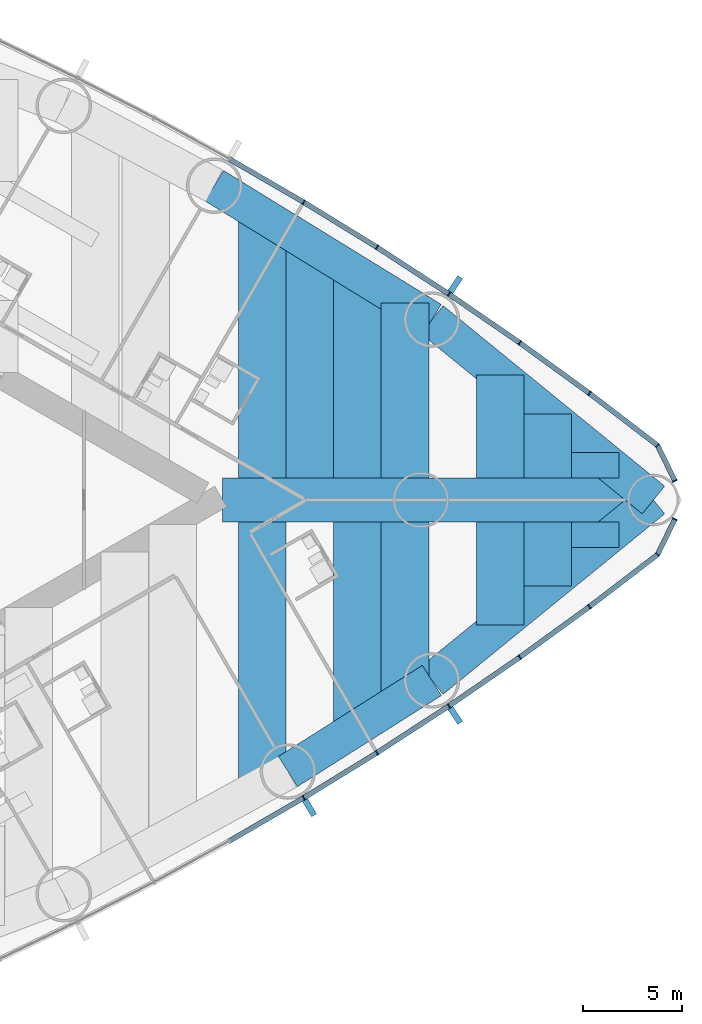
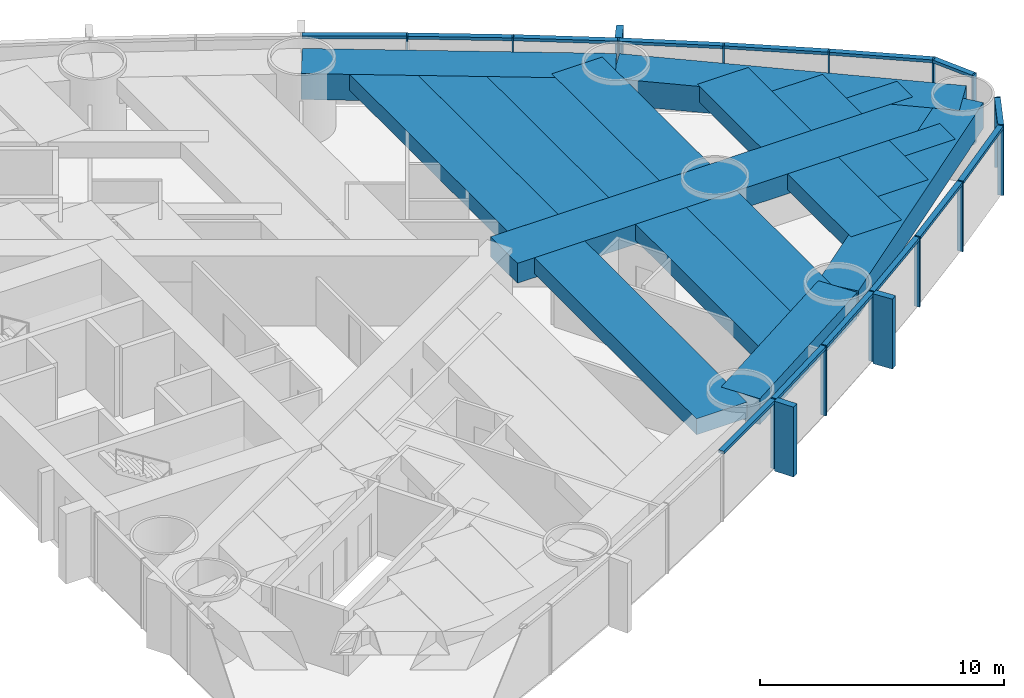
# One storey, part 8 of 18: 31 members, 18 beams, 2 elements without a shape of their own.
"""IFC4 building model written with IfcOpenShell, lengths in metres."""

from ifc_helpers import new_model, si_unit, direction, frame, origin, origin_2d, place, context, subcontext, project, spatial, rectangle, extrude, material, material_profile, profile_set, type_object, element, aggregate, save


model = new_model("IFC4")

# Units and contexts
model_context = context("Model", 3, precision=1e-05, world=origin(), true_north=direction((0.0, 1.0)))
body_context = subcontext(model_context, "Body", "Model", "MODEL_VIEW")
ifc_project = project(units=[si_unit("LENGTHUNIT", "METRE"), si_unit("AREAUNIT", "SQUARE_METRE"), si_unit("VOLUMEUNIT", "CUBIC_METRE"), si_unit("PLANEANGLEUNIT", "RADIAN"), si_unit("MASSUNIT", "GRAM", prefix="KILO")], contexts=[model_context])

# Site, building, storey
site_placement = place(None, origin())
site = spatial("IfcSite", under=ifc_project, at=site_placement, CompositionType="ELEMENT")
building_placement = place(site_placement, origin())
building = spatial("IfcBuilding", under=site, at=building_placement, Name="Lancet Gate Hotel", CompositionType="ELEMENT")
storey_placement = place(building_placement, frame((0.0, 0.0, 56.5)))
storey = spatial("IfcBuildingStorey", under=building, at=storey_placement, Name="L14", CompositionType="ELEMENT", Elevation=56.5)

# Curtain wall, members
ifc_material_1 = material(Name="Aluminium curtain wall", Category="aluminium")
curtain_wall_type = type_object("IfcCurtainWallType", Name="Tower unitised curtain wall", PredefinedType="USERDEFINED", material=ifc_material_1)
curtain_wall_1_placement = place(storey_placement, origin())
curtain_wall_1 = element("IfcCurtainWall", 1, at=curtain_wall_1_placement, inside=storey, type_object=curtain_wall_type, Name="T2 L14 curtain wall 2", ObjectType="UNITISED CURTAIN WALL", PredefinedType="USERDEFINED")
ifc_material_2 = material(Name="Aluminium mullion", Category="aluminium")
ifc_material_profile_1 = material_profile(ifc_material_2, rectangle(XDim=0.06494140625, YDim=0.25, at=origin_2d()), Name="MULLION 65x250")
ifc_profile_set_1 = profile_set([ifc_material_profile_1], Name="Aluminium mullion")
member_type_1 = type_object("IfcMemberType", Name="Aluminium mullion 65x250", PredefinedType="MULLION", material=ifc_profile_set_1)
member_1_placement = place(storey_placement, frame((55.590087890625, -15.03125, 0.0), z_axis=(0.0, 0.0, 1.0), x_axis=(0.858413008828, 0.512959166284, 0.0)))
member_1 = element("IfcMember", 2, at=member_1_placement, type_object=member_type_1, Name="T2 L14 curtain wall 2 mullion 8", PredefinedType="MULLION", context=body_context, shape_type="SweptSolid", body=[
    extrude(rectangle(XDim=0.06494140625, YDim=0.25, at=origin_2d()), origin(), (0.0, 0.0, 1.0), 3.5),
])
member_2_placement = place(storey_placement, frame((59.28515625, -12.7587890625, 0.0), z_axis=(0.0, 0.0, 1.0), x_axis=(0.845079420983, 0.534640788035, 0.0)))
member_2 = element("IfcMember", 3, at=member_2_placement, type_object=member_type_1, Name="T2 L14 curtain wall 2 mullion 9", PredefinedType="MULLION", context=body_context, shape_type="SweptSolid", body=[
    extrude(rectangle(XDim=0.06494140625, YDim=0.25, at=origin_2d()), origin(), (0.0, 0.0, 1.0), 3.5),
])
member_3_placement = place(storey_placement, frame((62.921142578125, -10.393310546875, 0.0), z_axis=(0.0, 0.0, 1.0), x_axis=(0.831198325377, 0.555976028162, 0.0)))
member_3 = element("IfcMember", 4, at=member_3_placement, type_object=member_type_1, Name="T2 L14 curtain wall 2 mullion 10", PredefinedType="MULLION", context=body_context, shape_type="SweptSolid", body=[
    extrude(rectangle(XDim=0.06494140625, YDim=0.25, at=origin_2d()), origin(), (0.0, 0.0, 1.0), 3.5),
])
member_4_placement = place(storey_placement, frame((66.49560546875, -7.935791015625, 0.0), z_axis=(0.0, 0.0, 1.0), x_axis=(0.816778715254, 0.576951064049, 0.0)))
member_4 = element("IfcMember", 5, at=member_4_placement, type_object=member_type_1, Name="T2 L14 curtain wall 2 mullion 11", PredefinedType="MULLION", context=body_context, shape_type="SweptSolid", body=[
    extrude(rectangle(XDim=0.06494140625, YDim=0.25, at=origin_2d()), origin(), (0.0, 0.0, 1.0), 3.5),
])
member_5_placement = place(storey_placement, frame((70.00634765625, -5.388427734375, 0.0), z_axis=(0.0, 0.0, 1.0), x_axis=(0.801829932754, 0.597552306447, 0.0)))
member_5 = element("IfcMember", 6, at=member_5_placement, type_object=member_type_1, Name="T2 L14 curtain wall 2 mullion 12", PredefinedType="MULLION", context=body_context, shape_type="SweptSolid", body=[
    extrude(rectangle(XDim=0.06494140625, YDim=0.25, at=origin_2d()), origin(), (0.0, 0.0, 1.0), 3.5),
])
member_6_placement = place(storey_placement, frame((73.451416015625, -2.752197265625, 0.0), z_axis=(0.0, 0.0, 1.0), x_axis=(0.697983022443, 0.716114306784, 0.0)))
member_6 = element("IfcMember", 7, at=member_6_placement, type_object=member_type_1, Name="T2 L14 curtain wall 2 mullion 13", PredefinedType="MULLION", context=body_context, shape_type="SweptSolid", body=[
    extrude(rectangle(XDim=0.06494140625, YDim=0.25, at=origin_2d()), origin(), (0.0, 0.0, 1.0), 3.5),
])
member_7_placement = place(storey_placement, frame((74.322265625, -0.96044921875, 0.0), z_axis=(0.0, 0.0, 1.0), x_axis=(0.437169070119, 0.899379343843, 0.0)))
member_7 = element("IfcMember", 8, at=member_7_placement, type_object=member_type_1, Name="T2 L14 curtain wall 2 mullion 14", PredefinedType="MULLION", context=body_context, shape_type="SweptSolid", body=[
    extrude(rectangle(XDim=0.06494140625, YDim=0.25, at=origin_2d()), origin(), (0.0, 0.0, 1.0), 3.5),
])

curtain_wall_2_placement = place(storey_placement, origin())
curtain_wall_2 = element("IfcCurtainWall", 9, at=curtain_wall_2_placement, inside=storey, type_object=curtain_wall_type, Name="T2 L14 curtain wall 3", ObjectType="UNITISED CURTAIN WALL", PredefinedType="USERDEFINED")
member_8_placement = place(storey_placement, frame((74.322265625, 0.96044921875, 0.0), z_axis=(0.0, 0.0, 1.0), x_axis=(-0.437169070119, 0.899379343843, 0.0)))
member_8 = element("IfcMember", 10, at=member_8_placement, type_object=member_type_1, Name="T2 L14 curtain wall 3 mullion 1", PredefinedType="MULLION", context=body_context, shape_type="SweptSolid", body=[
    extrude(rectangle(XDim=0.06494140625, YDim=0.25, at=origin_2d()), origin(), (0.0, 0.0, 1.0), 3.5),
])
member_9_placement = place(storey_placement, frame((73.451416015625, 2.752197265625, 0.0), z_axis=(0.0, 0.0, 1.0), x_axis=(-0.697983022443, 0.716114306784, 0.0)))
member_9 = element("IfcMember", 11, at=member_9_placement, type_object=member_type_1, Name="T2 L14 curtain wall 3 mullion 2", PredefinedType="MULLION", context=body_context, shape_type="SweptSolid", body=[
    extrude(rectangle(XDim=0.06494140625, YDim=0.25, at=origin_2d()), origin(), (0.0, 0.0, 1.0), 3.5),
])
member_10_placement = place(storey_placement, frame((70.00634765625, 5.388427734375, 0.0), z_axis=(0.0, 0.0, 1.0), x_axis=(-0.801829932754, 0.597552306447, 0.0)))
member_10 = element("IfcMember", 12, at=member_10_placement, type_object=member_type_1, Name="T2 L14 curtain wall 3 mullion 3", PredefinedType="MULLION", context=body_context, shape_type="SweptSolid", body=[
    extrude(rectangle(XDim=0.06494140625, YDim=0.25, at=origin_2d()), origin(), (0.0, 0.0, 1.0), 3.5),
])
member_11_placement = place(storey_placement, frame((66.49560546875, 7.935791015625, 0.0), z_axis=(0.0, 0.0, 1.0), x_axis=(-0.816778715254, 0.576951064049, 0.0)))
member_11 = element("IfcMember", 13, at=member_11_placement, type_object=member_type_1, Name="T2 L14 curtain wall 3 mullion 4", PredefinedType="MULLION", context=body_context, shape_type="SweptSolid", body=[
    extrude(rectangle(XDim=0.06494140625, YDim=0.25, at=origin_2d()), origin(), (0.0, 0.0, 1.0), 3.5),
])
member_12_placement = place(storey_placement, frame((62.921142578125, 10.393310546875, 0.0), z_axis=(0.0, 0.0, 1.0), x_axis=(-0.831198325377, 0.555976028162, 0.0)))
member_12 = element("IfcMember", 14, at=member_12_placement, type_object=member_type_1, Name="T2 L14 curtain wall 3 mullion 5", PredefinedType="MULLION", context=body_context, shape_type="SweptSolid", body=[
    extrude(rectangle(XDim=0.06494140625, YDim=0.25, at=origin_2d()), origin(), (0.0, 0.0, 1.0), 3.5),
])
member_13_placement = place(storey_placement, frame((59.28515625, 12.7587890625, 0.0), z_axis=(0.0, 0.0, 1.0), x_axis=(-0.845079420983, 0.534640788035, 0.0)))
member_13 = element("IfcMember", 15, at=member_13_placement, type_object=member_type_1, Name="T2 L14 curtain wall 3 mullion 6", PredefinedType="MULLION", context=body_context, shape_type="SweptSolid", body=[
    extrude(rectangle(XDim=0.06494140625, YDim=0.25, at=origin_2d()), origin(), (0.0, 0.0, 1.0), 3.5),
])
member_14_placement = place(storey_placement, frame((55.590087890625, 15.03125, 0.0), z_axis=(0.0, 0.0, 1.0), x_axis=(-0.858413008828, 0.512959166284, 0.0)))
member_14 = element("IfcMember", 16, at=member_14_placement, type_object=member_type_1, Name="T2 L14 curtain wall 3 mullion 7", PredefinedType="MULLION", context=body_context, shape_type="SweptSolid", body=[
    extrude(rectangle(XDim=0.06494140625, YDim=0.25, at=origin_2d()), origin(), (0.0, 0.0, 1.0), 3.5),
])

# Member
ifc_material_3 = material(Name="Aluminium transom", Category="aluminium")
ifc_material_profile_2 = material_profile(ifc_material_3, rectangle(XDim=0.25, YDim=0.14990234375, at=origin_2d()), Name="TRANSOM 250x150")
ifc_profile_set_2 = profile_set([ifc_material_profile_2], Name="Aluminium transom")
member_type_2 = type_object("IfcMemberType", Name="Aluminium transom 250x150", PredefinedType="USERDEFINED", material=ifc_profile_set_2)
member_15_placement = place(storey_placement, frame((51.86669921875, -17.1923828125, 3.425048828125), z_axis=(0.864854571156, 0.502022480324, 0.0), x_axis=(-0.502022480324, 0.864854571156, 0.0)))
member_15 = element("IfcMember", 17, at=member_15_placement, type_object=member_type_2, Name="T2 L14 curtain wall 2 transom 7", ObjectType="TRANSOM", PredefinedType="USERDEFINED", context=body_context, shape_type="SweptSolid", body=[
    extrude(rectangle(XDim=0.25, YDim=0.14990234375, at=origin_2d()), origin(), (0.0, 0.0, 1.0), 4.272705078125),
])

member_16_placement = place(storey_placement, frame((55.617919921875, -15.01416015625, 3.425048828125), z_axis=(0.851815224451, 0.523842365023, 0.0), x_axis=(-0.523842365023, 0.851815224451, 0.0)))
member_16 = element("IfcMember", 18, at=member_16_placement, type_object=member_type_2, Name="T2 L14 curtain wall 2 transom 8", ObjectType="TRANSOM", PredefinedType="USERDEFINED", context=body_context, shape_type="SweptSolid", body=[
    extrude(rectangle(XDim=0.25, YDim=0.14990234375, at=origin_2d()), origin(), (0.0, 0.0, 1.0), 4.272705078125),
])

member_17_placement = place(storey_placement, frame((59.3125, -12.7412109375, 3.425048828125), z_axis=(0.83817850664, 0.545395994674, 0.0), x_axis=(-0.545395994674, 0.83817850664, 0.0)))
member_17 = element("IfcMember", 19, at=member_17_placement, type_object=member_type_2, Name="T2 L14 curtain wall 2 transom 9", ObjectType="TRANSOM", PredefinedType="USERDEFINED", context=body_context, shape_type="SweptSolid", body=[
    extrude(rectangle(XDim=0.25, YDim=0.14990234375, at=origin_2d()), origin(), (0.0, 0.0, 1.0), 4.272705078125),
])

member_18_placement = place(storey_placement, frame((62.94775390625, -10.374755859375, 3.425048828125), z_axis=(0.824071932869, 0.566485171437, 0.0), x_axis=(-0.566485171437, 0.824071932869, 0.0)))
member_18 = element("IfcMember", 20, at=member_18_placement, type_object=member_type_2, Name="T2 L14 curtain wall 2 transom 10", ObjectType="TRANSOM", PredefinedType="USERDEFINED", context=body_context, shape_type="SweptSolid", body=[
    extrude(rectangle(XDim=0.25, YDim=0.14990234375, at=origin_2d()), origin(), (0.0, 0.0, 1.0), 4.272705078125),
])

member_19_placement = place(storey_placement, frame((66.52197265625, -7.916748046875, 3.425048828125), z_axis=(0.809382971085, 0.587281198505, 0.0), x_axis=(-0.587281198505, 0.809382971085, 0.0)))
member_19 = element("IfcMember", 21, at=member_19_placement, type_object=member_type_2, Name="T2 L14 curtain wall 2 transom 11", ObjectType="TRANSOM", PredefinedType="USERDEFINED", context=body_context, shape_type="SweptSolid", body=[
    extrude(rectangle(XDim=0.25, YDim=0.14990234375, at=origin_2d()), origin(), (0.0, 0.0, 1.0), 4.272705078125),
])

member_20_placement = place(storey_placement, frame((70.0322265625, -5.36865234375, 3.425048828125), z_axis=(0.794155062652, 0.607715177089, 0.0), x_axis=(-0.607715177089, 0.794155062652, 0.0)))
member_20 = element("IfcMember", 22, at=member_20_placement, type_object=member_type_2, Name="T2 L14 curtain wall 2 transom 12", ObjectType="TRANSOM", PredefinedType="USERDEFINED", context=body_context, shape_type="SweptSolid", body=[
    extrude(rectangle(XDim=0.25, YDim=0.14990234375, at=origin_2d()), origin(), (0.0, 0.0, 1.0), 4.27294921875),
])

member_21_placement = place(storey_placement, frame((73.465576171875, -2.72314453125, 3.425048828125), z_axis=(0.437103060611, 0.899411426659, 0.0), x_axis=(-0.899411426659, 0.437103060611, 0.0)))
member_21 = element("IfcMember", 23, at=member_21_placement, type_object=member_type_2, Name="T2 L14 curtain wall 2 transom 13", ObjectType="TRANSOM", PredefinedType="USERDEFINED", context=body_context, shape_type="SweptSolid", body=[
    extrude(rectangle(XDim=0.25, YDim=0.14990234375, at=origin_2d()), origin(), (0.0, 0.0, 1.0), 1.927490234375),
])

member_22_placement = place(storey_placement, frame((74.30810546875, 0.989501953125, 3.425048828125), z_axis=(-0.437103060611, 0.899411426659, 0.0), x_axis=(-0.899411426659, -0.437103060611, 0.0)))
member_22 = element("IfcMember", 24, at=member_22_placement, type_object=member_type_2, Name="T2 L14 curtain wall 3 transom 1", ObjectType="TRANSOM", PredefinedType="USERDEFINED", context=body_context, shape_type="SweptSolid", body=[
    extrude(rectangle(XDim=0.25, YDim=0.14990234375, at=origin_2d()), origin(), (0.0, 0.0, 1.0), 1.927490234375),
])

member_23_placement = place(storey_placement, frame((73.425537109375, 2.77197265625, 3.425048828125), z_axis=(-0.794155062652, 0.607715177089, 0.0), x_axis=(-0.607715177089, -0.794155062652, 0.0)))
member_23 = element("IfcMember", 25, at=member_23_placement, type_object=member_type_2, Name="T2 L14 curtain wall 3 transom 2", ObjectType="TRANSOM", PredefinedType="USERDEFINED", context=body_context, shape_type="SweptSolid", body=[
    extrude(rectangle(XDim=0.25, YDim=0.14990234375, at=origin_2d()), origin(), (0.0, 0.0, 1.0), 4.27294921875),
])

member_24_placement = place(storey_placement, frame((69.980224609375, 5.407470703125, 3.425048828125), z_axis=(-0.809382971085, 0.587281198505, 0.0), x_axis=(-0.587281198505, -0.809382971085, 0.0)))
member_24 = element("IfcMember", 26, at=member_24_placement, type_object=member_type_2, Name="T2 L14 curtain wall 3 transom 3", ObjectType="TRANSOM", PredefinedType="USERDEFINED", context=body_context, shape_type="SweptSolid", body=[
    extrude(rectangle(XDim=0.25, YDim=0.14990234375, at=origin_2d()), origin(), (0.0, 0.0, 1.0), 4.272705078125),
])

member_25_placement = place(storey_placement, frame((66.46875, 7.954345703125, 3.425048828125), z_axis=(-0.824071932869, 0.566485171437, 0.0), x_axis=(-0.566485171437, -0.824071932869, 0.0)))
member_25 = element("IfcMember", 27, at=member_25_placement, type_object=member_type_2, Name="T2 L14 curtain wall 3 transom 4", ObjectType="TRANSOM", PredefinedType="USERDEFINED", context=body_context, shape_type="SweptSolid", body=[
    extrude(rectangle(XDim=0.25, YDim=0.14990234375, at=origin_2d()), origin(), (0.0, 0.0, 1.0), 4.272705078125),
])

member_26_placement = place(storey_placement, frame((62.893798828125, 10.410888671875, 3.425048828125), z_axis=(-0.83817850664, 0.545395994674, 0.0), x_axis=(-0.545395994674, -0.83817850664, 0.0)))
member_26 = element("IfcMember", 28, at=member_26_placement, type_object=member_type_2, Name="T2 L14 curtain wall 3 transom 5", ObjectType="TRANSOM", PredefinedType="USERDEFINED", context=body_context, shape_type="SweptSolid", body=[
    extrude(rectangle(XDim=0.25, YDim=0.14990234375, at=origin_2d()), origin(), (0.0, 0.0, 1.0), 4.272705078125),
])

member_27_placement = place(storey_placement, frame((59.257568359375, 12.77587890625, 3.425048828125), z_axis=(-0.851815224451, 0.523842365023, 0.0), x_axis=(-0.523842365023, -0.851815224451, 0.0)))
member_27 = element("IfcMember", 29, at=member_27_placement, type_object=member_type_2, Name="T2 L14 curtain wall 3 transom 6", ObjectType="TRANSOM", PredefinedType="USERDEFINED", context=body_context, shape_type="SweptSolid", body=[
    extrude(rectangle(XDim=0.25, YDim=0.14990234375, at=origin_2d()), origin(), (0.0, 0.0, 1.0), 4.272705078125),
])

member_28_placement = place(storey_placement, frame((55.56201171875, 15.04736328125, 3.425048828125), z_axis=(-0.864854571156, 0.502022480324, 0.0), x_axis=(-0.502022480324, -0.864854571156, 0.0)))
member_28 = element("IfcMember", 30, at=member_28_placement, type_object=member_type_2, Name="T2 L14 curtain wall 3 transom 7", ObjectType="TRANSOM", PredefinedType="USERDEFINED", context=body_context, shape_type="SweptSolid", body=[
    extrude(rectangle(XDim=0.25, YDim=0.14990234375, at=origin_2d()), origin(), (0.0, 0.0, 1.0), 4.272705078125),
])

# Beams
ifc_material_4 = material(Name="Concrete C50/60", Category="concrete")
ifc_material_profile_3 = material_profile(ifc_material_4, rectangle(XDim=1.800048828125, YDim=1.300048828125, at=origin_2d()), Name="RC 1800x1300")
ifc_profile_set_3 = profile_set([ifc_material_profile_3], Name="Concrete C50/60")
beam_type_1 = type_object("IfcBeamType", Name="Edge beam RC 1800x1300", PredefinedType="SPANDREL", material=ifc_profile_set_3)
beam_1_placement = place(storey_placement, frame((54.795166015625, -13.70068359375, 2.60009765625), z_axis=(0.845078312276, 0.534642540508, 0.0), x_axis=(-0.534642540508, 0.845078312276, 0.0)))
element("IfcBeam", 31, at=beam_1_placement, inside=storey, type_object=beam_type_1, Name="T2 edge beam EB1 L14", PredefinedType="SPANDREL", context=body_context, shape_type="SweptSolid", body=[
    extrude(rectangle(XDim=1.800048828125, YDim=1.300048828125, at=origin_2d()), origin(), (0.0, 0.0, 1.0), 8.595947265625),
])
for number, where, z_axis, x_axis, name in (
    (32, (62.059326171875, -9.10498046875, 2.60009765625), (0.775390970005, 0.631481467372, 0.0), (-0.631481467372, 0.775390970005, 0.0), "T2 edge beam EB1 L14"),
    (33, (73.2392578125, 0.0, 2.60009765625), (-0.775390970005, 0.631481467372, 0.0), (-0.631481467372, -0.775390970005, 0.0), "T2 edge beam EB1 L14"),
):
    element("IfcBeam", number, at=place(storey_placement, frame(where, z_axis=z_axis, x_axis=x_axis)), inside=storey, type_object=beam_type_1, Name=name, PredefinedType="SPANDREL", context=body_context, shape_type="SweptSolid", body=[
        extrude(rectangle(XDim=1.800048828125, YDim=1.300048828125, at=origin_2d()), origin(), (0.0, 0.0, 1.0), 14.41845703125),
    ])
beam_2_placement = place(storey_placement, frame((62.059326171875, 9.10498046875, 2.60009765625), z_axis=(-0.851815628025, 0.523841708775, 0.0), x_axis=(-0.523841708775, -0.851815628025, 0.0)))
element("IfcBeam", 34, at=beam_2_placement, inside=storey, type_object=beam_type_1, Name="T2 edge beam EB1 L14", PredefinedType="SPANDREL", context=body_context, shape_type="SweptSolid", body=[
    extrude(rectangle(XDim=1.800048828125, YDim=1.300048828125, at=origin_2d()), origin(), (0.0, 0.0, 1.0), 12.89208984375),
])

# Member
ifc_material_5 = material(Name="Precast concrete C50/60", Category="concrete")
ifc_material_profile_4 = material_profile(ifc_material_5, rectangle(XDim=0.300048828125, YDim=0.89990234375, at=origin_2d()), Name="FIN 300x900")
ifc_profile_set_4 = profile_set([ifc_material_profile_4], Name="Precast concrete C50/60")
member_type_3 = type_object("IfcMemberType", Name="Exposed concrete fin 300x900", PredefinedType="USERDEFINED", material=ifc_profile_set_4)
member_29_placement = place(storey_placement, frame((55.88525390625, -15.524658203125, 0.0), z_axis=(0.0, 0.0, 1.0), x_axis=(0.858413008828, 0.512959166284, 0.0)))
member_29 = element("IfcMember", 35, at=member_29_placement, type_object=member_type_3, Name="T2 L14 curtain wall 2 fin 8", ObjectType="FIN", PredefinedType="USERDEFINED", context=body_context, shape_type="SweptSolid", body=[
    extrude(rectangle(XDim=0.300048828125, YDim=0.89990234375, at=origin_2d()), origin(), (0.0, 0.0, 1.0), 3.5),
])

member_30_placement = place(storey_placement, frame((63.24072265625, -10.87109375, 0.0), z_axis=(0.0, 0.0, 1.0), x_axis=(0.831198325377, 0.555976028162, 0.0)))
member_30 = element("IfcMember", 36, at=member_30_placement, type_object=member_type_3, Name="T2 L14 curtain wall 2 fin 10", ObjectType="FIN", PredefinedType="USERDEFINED", context=body_context, shape_type="SweptSolid", body=[
    extrude(rectangle(XDim=0.300048828125, YDim=0.89990234375, at=origin_2d()), origin(), (0.0, 0.0, 1.0), 3.5),
])

aggregate(curtain_wall_1, [member_1, member_29, member_2, member_3, member_30, member_4, member_5, member_6, member_7, member_15, member_16, member_17, member_18, member_19, member_20, member_21])

member_31_placement = place(storey_placement, frame((63.24072265625, 10.87109375, 0.0), z_axis=(0.0, 0.0, 1.0), x_axis=(-0.831198325377, 0.555976028162, 0.0)))
member_31 = element("IfcMember", 37, at=member_31_placement, type_object=member_type_3, Name="T2 L14 curtain wall 3 fin 5", ObjectType="FIN", PredefinedType="USERDEFINED", context=body_context, shape_type="SweptSolid", body=[
    extrude(rectangle(XDim=0.300048828125, YDim=0.89990234375, at=origin_2d()), origin(), (0.0, 0.0, 1.0), 3.5),
])

aggregate(curtain_wall_2, [member_8, member_9, member_10, member_11, member_12, member_31, member_13, member_14, member_22, member_23, member_24, member_25, member_26, member_27, member_28])

# Beams
ifc_material_6 = material(Name="Concrete C50/60", Category="concrete")
ifc_material_profile_5 = material_profile(ifc_material_6, rectangle(XDim=2.39990234375, YDim=0.800048828125, at=origin_2d()), Name="RC 2400x800")
ifc_profile_set_5 = profile_set([ifc_material_profile_5], Name="Concrete C50/60")
beam_type_2 = type_object("IfcBeamType", Name="Floor beam RC 2400x800", PredefinedType="BEAM", material=ifc_profile_set_5)
beam_3_placement = place(storey_placement, frame((53.502197265625, -14.40771484375, 2.85009765625), z_axis=(0.0, 1.0, 0.0), x_axis=(-1.0, 0.0, 0.0)))
element("IfcBeam", 38, at=beam_3_placement, inside=storey, type_object=beam_type_2, Name="T2 floor beam F16S L14", PredefinedType="BEAM", context=body_context, shape_type="SweptSolid", body=[
    extrude(rectangle(XDim=2.39990234375, YDim=0.800048828125, at=origin_2d()), origin(), (0.0, 0.0, 1.0), 13.3076171875),
])
beam_4_placement = place(storey_placement, frame((53.502197265625, 1.10009765625, 2.85009765625), z_axis=(0.0, 1.0, 0.0), x_axis=(-1.0, 0.0, 0.0)))
element("IfcBeam", 39, at=beam_4_placement, inside=storey, type_object=beam_type_2, Name="T2 floor beam F17N L14", PredefinedType="BEAM", context=body_context, shape_type="SweptSolid", body=[
    extrude(rectangle(XDim=2.39990234375, YDim=0.800048828125, at=origin_2d()), origin(), (0.0, 0.0, 1.0), 13.26708984375),
])
beam_5_placement = place(storey_placement, frame((55.90234375, 1.10009765625, 2.85009765625), z_axis=(0.0, 1.0, 0.0), x_axis=(-1.0, 0.0, 0.0)))
element("IfcBeam", 40, at=beam_5_placement, inside=storey, type_object=beam_type_2, Name="T2 floor beam F18N L14", PredefinedType="BEAM", context=body_context, shape_type="SweptSolid", body=[
    extrude(rectangle(XDim=2.39990234375, YDim=0.800048828125, at=origin_2d()), origin(), (0.0, 0.0, 1.0), 11.791259765625),
])
beam_6_placement = place(storey_placement, frame((58.30224609375, -11.48193359375, 2.85009765625), z_axis=(0.0, 1.0, 0.0), x_axis=(-1.0, 0.0, 0.0)))
element("IfcBeam", 41, at=beam_6_placement, inside=storey, type_object=beam_type_2, Name="T2 floor beam F19S L14", PredefinedType="BEAM", context=body_context, shape_type="SweptSolid", body=[
    extrude(rectangle(XDim=2.39990234375, YDim=0.800048828125, at=origin_2d()), origin(), (0.0, 0.0, 1.0), 10.3818359375),
])
beam_7_placement = place(storey_placement, frame((58.30224609375, 1.10009765625, 2.85009765625), z_axis=(0.0, 1.0, 0.0), x_axis=(-1.0, 0.0, 0.0)))
element("IfcBeam", 42, at=beam_7_placement, inside=storey, type_object=beam_type_2, Name="T2 floor beam F20N L14", PredefinedType="BEAM", context=body_context, shape_type="SweptSolid", body=[
    extrude(rectangle(XDim=2.39990234375, YDim=0.800048828125, at=origin_2d()), origin(), (0.0, 0.0, 1.0), 10.3154296875),
])
beam_8_placement = place(storey_placement, frame((60.7021484375, -9.96337890625, 2.85009765625), z_axis=(0.0, 1.0, 0.0), x_axis=(-1.0, 0.0, 0.0)))
element("IfcBeam", 43, at=beam_8_placement, inside=storey, type_object=beam_type_2, Name="T2 floor beam F21S L14", PredefinedType="BEAM", context=body_context, shape_type="SweptSolid", body=[
    extrude(rectangle(XDim=2.39990234375, YDim=0.800048828125, at=origin_2d()), origin(), (0.0, 0.0, 1.0), 8.86328125),
])
beam_9_placement = place(storey_placement, frame((60.7021484375, 1.10009765625, 2.85009765625), z_axis=(0.0, 1.0, 0.0), x_axis=(-1.0, 0.0, 0.0)))
element("IfcBeam", 44, at=beam_9_placement, inside=storey, type_object=beam_type_2, Name="T2 floor beam F22N L14", PredefinedType="BEAM", context=body_context, shape_type="SweptSolid", body=[
    extrude(rectangle(XDim=2.39990234375, YDim=0.800048828125, at=origin_2d()), origin(), (0.0, 0.0, 1.0), 8.83935546875),
])
for number, where, z_axis, x_axis, name in (
    (45, (65.502197265625, -6.301025390625, 2.85009765625), (0.0, 1.0, 0.0), (-1.0, 0.0, 0.0), "T2 floor beam F23S L14"),
    (46, (65.502197265625, 1.10009765625, 2.85009765625), (0.0, 1.0, 0.0), (-1.0, 0.0, 0.0), "T2 floor beam F24N L14"),
):
    element("IfcBeam", number, at=place(storey_placement, frame(where, z_axis=z_axis, x_axis=x_axis)), inside=storey, type_object=beam_type_2, Name=name, PredefinedType="BEAM", context=body_context, shape_type="SweptSolid", body=[
        extrude(rectangle(XDim=2.39990234375, YDim=0.800048828125, at=origin_2d()), origin(), (0.0, 0.0, 1.0), 5.200927734375),
    ])
for number, where, z_axis, x_axis, name in (
    (47, (67.90234375, -4.346435546875, 2.85009765625), (0.0, 1.0, 0.0), (-1.0, 0.0, 0.0), "T2 floor beam F25S L14"),
    (48, (67.90234375, 1.10009765625, 2.85009765625), (0.0, 1.0, 0.0), (-1.0, 0.0, 0.0), "T2 floor beam F26N L14"),
):
    element("IfcBeam", number, at=place(storey_placement, frame(where, z_axis=z_axis, x_axis=x_axis)), inside=storey, type_object=beam_type_2, Name=name, PredefinedType="BEAM", context=body_context, shape_type="SweptSolid", body=[
        extrude(rectangle(XDim=2.39990234375, YDim=0.800048828125, at=origin_2d()), origin(), (0.0, 0.0, 1.0), 3.246337890625),
    ])
for number, where, z_axis, x_axis, name in (
    (49, (70.30224609375, -2.391845703125, 2.85009765625), (0.0, 1.0, 0.0), (-1.0, 0.0, 0.0), "T2 floor beam F27S L14"),
    (50, (70.30224609375, 1.10009765625, 2.85009765625), (0.0, 1.0, 0.0), (-1.0, 0.0, 0.0), "T2 floor beam F28N L14"),
):
    element("IfcBeam", number, at=place(storey_placement, frame(where, z_axis=z_axis, x_axis=x_axis)), inside=storey, type_object=beam_type_2, Name=name, PredefinedType="BEAM", context=body_context, shape_type="SweptSolid", body=[
        extrude(rectangle(XDim=2.39990234375, YDim=0.800048828125, at=origin_2d()), origin(), (0.0, 0.0, 1.0), 1.291748046875),
    ])
ifc_material_7 = material(Name="Concrete C50/60", Category="concrete")
ifc_material_profile_6 = material_profile(ifc_material_7, rectangle(XDim=2.199951171875, YDim=1.0, at=origin_2d()), Name="RC 2200x1000")
ifc_profile_set_6 = profile_set([ifc_material_profile_6], Name="Concrete C50/60")
beam_type_3 = type_object("IfcBeamType", Name="Radial floor beam RC 2200x1000", PredefinedType="BEAM", material=ifc_profile_set_6)
beam_10_placement = place(storey_placement, frame((73.2392578125, 0.0, 2.75), z_axis=(-1.0, 0.0, 0.0), x_axis=(0.0, -1.0, 0.0)))
element("IfcBeam", 51, at=beam_10_placement, inside=storey, type_object=beam_type_3, Name="T2 radial beam CA L14", PredefinedType="BEAM", context=body_context, shape_type="SweptSolid", body=[
    extrude(rectangle(XDim=2.199951171875, YDim=1.0, at=origin_2d()), origin(), (0.0, 0.0, 1.0), 21.737060546875),
])

save(model, "model.ifc")
